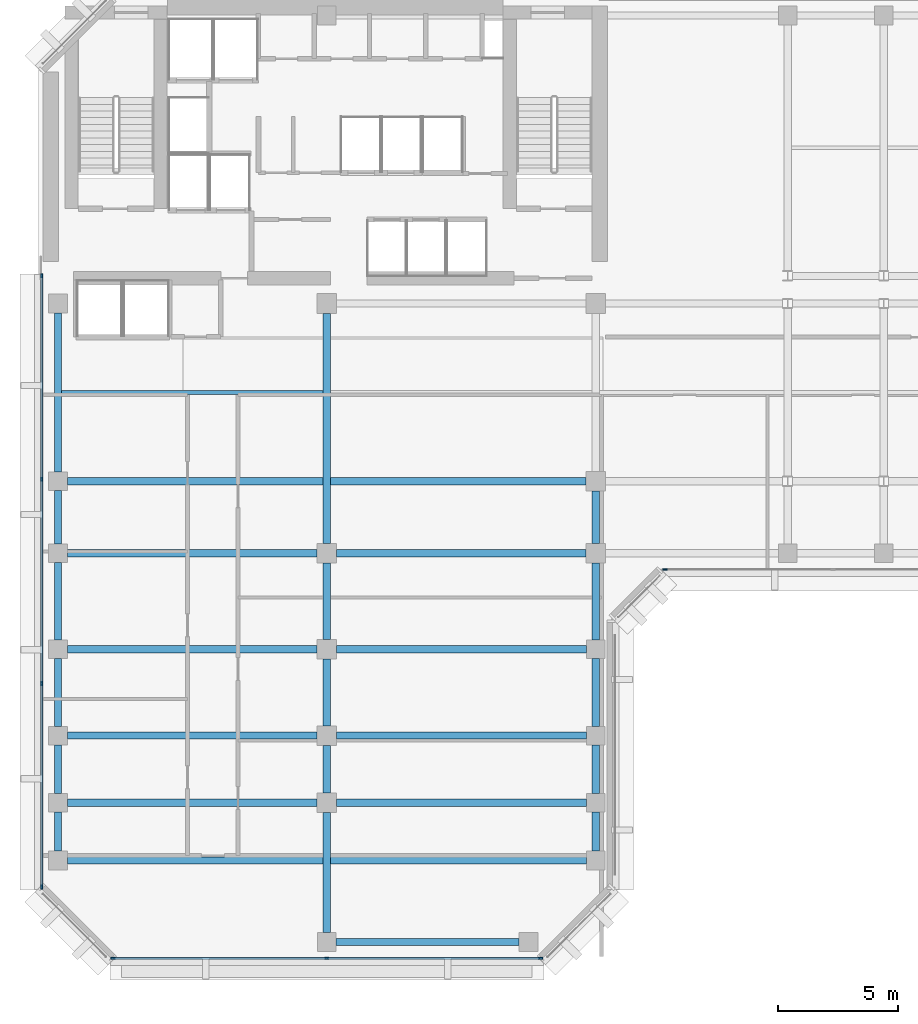
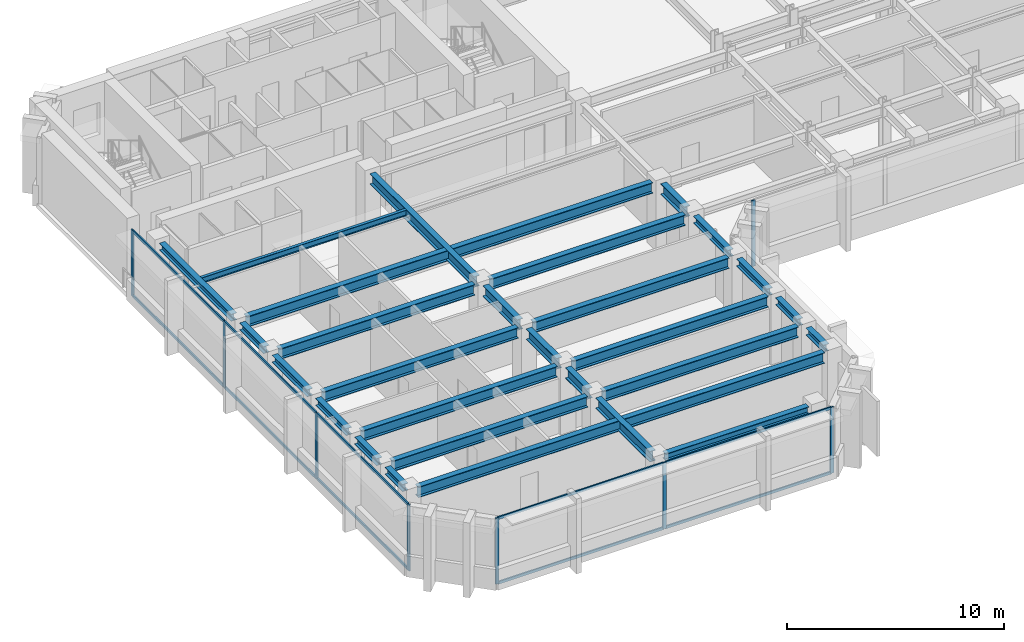
# One storey, part 2 of 12: 28 beams, 18 members, 3 elements without a shape of their own.
"""IFC4 building model written with IfcOpenShell, lengths in metres."""

import ifcopenshell
import ifcopenshell.guid

model = None  # the IFC model being written
_history = None  # IfcOwnerHistory: only IFC2X3 demands one
_inside = {}  # id of a spatial element -> (the spatial element, [elements in it])
_under = {}  # id of a project, library or spatial element -> (it, [spatial elements below it])
_declared = {}  # id of a project -> (the project, [libraries it declares])
_typed = {}  # id of a type object -> (the type object, [elements of that type])
_made_of = {}  # id of a material, layer set ... -> (it, [elements and type objects made of it])


def new_model(schema):
    """Start an empty IFC model of exactly this schema.

    Asked for "IFC4X3", IfcOpenShell would pick the latest addendum, in which some entities
    have other attributes; the version numbers below select the first issue.
    IFC2X3 requires an IfcOwnerHistory on every rooted entity: one is made here for all.
    """
    global model, _history
    if schema == "IFC4X3":
        model = ifcopenshell.file(schema_version=(4, 3, 0, 0))
    else:
        model = ifcopenshell.file(schema=schema)
    _inside.clear()
    _under.clear()
    _declared.clear()
    _typed.clear()
    _made_of.clear()
    _history = None
    if model.schema == "IFC2X3":
        org = make("IfcOrganization", Name="unknown")
        user = make(
            "IfcPersonAndOrganization",
            ThePerson=make("IfcPerson", FamilyName="unknown"),
            TheOrganization=org,
        )
        app = make(
            "IfcApplication",
            ApplicationDeveloper=org,
            Version="unknown",
            ApplicationFullName="unknown",
            ApplicationIdentifier="unknown",
        )
        _history = make(
            "IfcOwnerHistory",
            OwningUser=user,
            OwningApplication=app,
            ChangeAction="ADDED",
            CreationDate=0,
        )
    return model


def make(cls, **values):
    """One entity of the class cls with the attributes given. An attribute that is None is left unset."""
    return model.create_entity(
        cls, **{name: value for name, value in values.items() if value is not None}
    )


def rooted(cls, **values):
    """An entity with a GlobalId (a new one), such as an element, a storey or a relation."""
    return make(cls, GlobalId=ifcopenshell.guid.new(), OwnerHistory=_history, **values)


def si_unit(unit_type, name, prefix=None):
    """IfcSIUnit, for example si_unit("LENGTHUNIT", "METRE", prefix="MILLI")."""
    return make("IfcSIUnit", UnitType=unit_type, Prefix=prefix, Name=name)


def assignment(units):
    """IfcUnitAssignment: the units of a project."""
    return None if units is None else make("IfcUnitAssignment", Units=units)


def point(xyz):
    """IfcCartesianPoint."""
    return None if xyz is None else make("IfcCartesianPoint", Coordinates=xyz)


def direction(xyz):
    """IfcDirection."""
    return None if xyz is None else make("IfcDirection", DirectionRatios=xyz)


def frame(location, z_axis=None, x_axis=None):
    """IfcAxis2Placement3D, a coordinate frame: its origin and axes. An axis left out is left unset."""
    return make(
        "IfcAxis2Placement3D",
        Location=point(location),
        Axis=direction(z_axis),
        RefDirection=direction(x_axis),
    )


def frame_2d(location, x_axis=None):
    """IfcAxis2Placement2D, a coordinate frame in the plane: its origin and x axis."""
    return make(
        "IfcAxis2Placement2D", Location=point(location), RefDirection=direction(x_axis)
    )


def origin():
    """The frame at (0, 0, 0) with its axes left unset."""
    return frame((0.0, 0.0, 0.0))


def origin_2d():
    """The frame at (0, 0) in the plane with its x axis left unset."""
    return frame_2d((0.0, 0.0))


def place(relative_to, where):
    """IfcLocalPlacement: puts the frame where relative to a parent placement (None: the world)."""
    return make(
        "IfcLocalPlacement", PlacementRelTo=relative_to, RelativePlacement=where
    )


def context(
    kind, dimensions, precision=None, world=None, true_north=None, identifier=None
):
    """IfcGeometricRepresentationContext, for example the 3D "Model" context."""
    return make(
        "IfcGeometricRepresentationContext",
        ContextIdentifier=identifier,
        ContextType=kind,
        CoordinateSpaceDimension=dimensions,
        Precision=precision,
        WorldCoordinateSystem=world,
        TrueNorth=true_north,
    )


def subcontext(parent, identifier, kind, view, scale=None):
    """IfcGeometricRepresentationSubContext, for example "Body" below "Model"."""
    return make(
        "IfcGeometricRepresentationSubContext",
        ContextIdentifier=identifier,
        ContextType=kind,
        ParentContext=parent,
        TargetScale=scale,
        TargetView=view,
    )


def project(units=None, contexts=None):
    """IfcProject with its units and contexts."""
    return rooted(
        "IfcProject",
        Name="project",
        RepresentationContexts=contexts,
        UnitsInContext=assignment(units),
    )


def spatial(cls, under=None, at=None, **own):
    """A site, building, storey or space (cls), placed at a placement, below another one or the project."""
    s = rooted(cls, ObjectPlacement=at, **own)
    if under is not None:
        _under.setdefault(under.id(), (under, []))[1].append(s)
    return s


def profile(cls, at=None, kind="AREA", **sizes):
    """A parametric profile (cls). Its sizes go by their IFC names, for example OverallWidth=200.0."""
    return make(cls, ProfileType=kind, Position=at, **sizes)


def rectangle(**sizes):
    """IfcRectangleProfileDef."""
    return profile("IfcRectangleProfileDef", **sizes)


def i_section(**sizes):
    """IfcIShapeProfileDef."""
    return profile("IfcIShapeProfileDef", **sizes)


def extrude(swept, where, along, depth):
    """IfcExtrudedAreaSolid: the profile swept, set in the frame where, extruded along a direction by depth."""
    return make(
        "IfcExtrudedAreaSolid",
        SweptArea=swept,
        Position=where,
        ExtrudedDirection=direction(along),
        Depth=depth,
    )


def shape(context_of_items, identifier, shape_type, items):
    """IfcShapeRepresentation: the items that make up one representation, for example the "Body"."""
    return make(
        "IfcShapeRepresentation",
        ContextOfItems=context_of_items,
        RepresentationIdentifier=identifier,
        RepresentationType=shape_type,
        Items=items,
    )


def material(Name=None, Category=None):
    """IfcMaterial."""
    return make("IfcMaterial", Name=Name, Category=Category)


def layer(
    of_material, thickness, ventilated=None, Name=None, Category=None, Priority=None
):
    """IfcMaterialLayer: one layer of a wall or slab, of a material (None: an air gap)."""
    return make(
        "IfcMaterialLayer",
        Material=of_material,
        LayerThickness=thickness,
        IsVentilated=ventilated,
        Name=Name,
        Category=Category,
        Priority=Priority,
    )


def layer_set(layers, Name=None):
    """IfcMaterialLayerSet."""
    return make("IfcMaterialLayerSet", MaterialLayers=layers, LayerSetName=Name)


def material_profile(
    of_material, cross_section, Name=None, Category=None, Priority=None
):
    """IfcMaterialProfile: a cross section and its material."""
    return make(
        "IfcMaterialProfile",
        Name=Name,
        Material=of_material,
        Profile=cross_section,
        Priority=Priority,
        Category=Category,
    )


def profile_set(profiles, Name=None, composite=None):
    """IfcMaterialProfileSet."""
    return make(
        "IfcMaterialProfileSet",
        Name=Name,
        MaterialProfiles=profiles,
        CompositeProfile=composite,
    )


def made_of(thing, what):
    """Note that an element or type object is made of a material, layer set ...; save() writes the relation."""
    if what is not None:
        _made_of.setdefault(what.id(), (what, []))[1].append(thing)
    return thing


def type_object(cls, material=None, **own):
    """A type object (cls), such as IfcWallType, which elements share."""
    return made_of(rooted(cls, **own), material)


def element(
    cls,
    number,
    at=None,
    inside=None,
    cuts=None,
    type_object=None,
    material=None,
    context=None,
    identifier="Body",
    shape_type=None,
    held_by="IfcProductDefinitionShape",
    body=None,
    shapes=None,
    **own,
):
    """One element of the class cls, such as IfcWall. Its Tag is "e" and its number.

    at: its placement. inside: the storey or other place that contains it. cuts: it is an
    opening in that element (IfcRelVoidsElement). A single representation is given by context,
    identifier, shape_type and body (its items); several are given by shapes. held_by: the class
    of the entity that holds the representations. save() writes the other relations.
    """
    e = rooted(cls, Tag="e%d" % number, ObjectPlacement=at, **own)
    if body is not None:
        shapes = [shape(context, identifier, shape_type, body)]
    if shapes is not None:
        e.Representation = make(held_by, Representations=shapes)
    if inside is not None:
        _inside.setdefault(inside.id(), (inside, []))[1].append(e)
    if cuts is not None:
        rooted(
            "IfcRelVoidsElement", RelatingBuildingElement=cuts, RelatedOpeningElement=e
        )
    if type_object is not None:
        _typed.setdefault(type_object.id(), (type_object, []))[1].append(e)
    return made_of(e, material)


def aggregate(whole, parts):
    """IfcRelAggregates: a whole, such as a stair, and the parts it consists of."""
    return rooted("IfcRelAggregates", RelatingObject=whole, RelatedObjects=parts)


def save(model, path):
    """Write the relations noted so far, then the file.

    IfcRelAggregates (storeys below a building ...), IfcRelContainedInSpatialStructure (elements
    in a storey), IfcRelDefinesByType, IfcRelAssociatesMaterial and IfcRelDeclares: one each for
    every whole, place, type object, material and project.
    """
    for whole, parts in _under.values():
        aggregate(whole, parts)
    for where, things in _inside.values():
        rooted(
            "IfcRelContainedInSpatialStructure",
            RelatedElements=things,
            RelatingStructure=where,
        )
    for kind, things in _typed.values():
        rooted("IfcRelDefinesByType", RelatedObjects=things, RelatingType=kind)
    for what, things in _made_of.values():
        rooted("IfcRelAssociatesMaterial", RelatedObjects=things, RelatingMaterial=what)
    for by, libraries in _declared.values():
        rooted("IfcRelDeclares", RelatingContext=by, RelatedDefinitions=libraries)
    model.write(path)


model = new_model("IFC4")

# Units and contexts
model_context = context("Model", 3, precision=1e-05, world=origin(), true_north=direction((0.0, 1.0)))
body_context = subcontext(model_context, "Body", "Model", "MODEL_VIEW")
ifc_project = project(units=[si_unit("LENGTHUNIT", "METRE"), si_unit("AREAUNIT", "SQUARE_METRE"), si_unit("VOLUMEUNIT", "CUBIC_METRE"), si_unit("PLANEANGLEUNIT", "RADIAN"), si_unit("MASSUNIT", "GRAM", prefix="KILO")], contexts=[model_context])

# Site, building, storey
site_placement = place(None, origin())
site = spatial("IfcSite", under=ifc_project, at=site_placement, CompositionType="ELEMENT")
building_placement = place(site_placement, origin())
building = spatial("IfcBuilding", under=site, at=building_placement, Name="Kefirva Bronze Tower", CompositionType="ELEMENT")
storey_placement = place(building_placement, frame((0.0, 0.0, 195.360107421875)))
storey = spatial("IfcBuildingStorey", under=building, at=storey_placement, Name="L47", CompositionType="ELEMENT", Elevation=195.360107421875)

# Curtain wall, members
ifc_material_1 = material(Name="Bronze anodised aluminium", Category="aluminium")
ifc_layer = layer(ifc_material_1, 0.179931640625, Name="Bronze anodised aluminium")
ifc_layer_set = layer_set([ifc_layer], Name="Bronze anodised aluminium")
curtain_wall_type = type_object("IfcCurtainWallType", Name="Unitised Bronze Ribbon Curtain Wall Zone 3", PredefinedType="USERDEFINED", material=ifc_layer_set)
curtain_wall_1_placement = place(storey_placement, origin())
curtain_wall_1 = element("IfcCurtainWall", 1, at=curtain_wall_1_placement, inside=storey, type_object=curtain_wall_type, Name="L47 Curtain Wall 1", ObjectType="UNITISED CURTAIN WALL", PredefinedType="USERDEFINED")
ifc_material_profile_1 = material_profile(ifc_material_1, rectangle(XDim=0.074951171875, YDim=0.179931640625, at=origin_2d()), Name="ALU 75x180")
ifc_profile_set_1 = profile_set([ifc_material_profile_1], Name="Bronze anodised aluminium")
member_type_1 = type_object("IfcMemberType", Name="Bronze Mullion 75x180", PredefinedType="MULLION", material=ifc_profile_set_1)
member_1_placement = place(storey_placement, frame((3.092529296875, 5.919921875, 0.0), z_axis=(0.0, 0.0, 1.0), x_axis=(0.0, 1.0, 0.0)))
member_1 = element("IfcMember", 2, at=member_1_placement, type_object=member_type_1, Name="CW-03 mullion 1", PredefinedType="MULLION", context=body_context, shape_type="SweptSolid", body=[
    extrude(rectangle(XDim=0.074951171875, YDim=0.179931640625, at=origin_2d()), origin(), (0.0, 0.0, 1.0), 3.7099609375),
])
member_2_placement = place(storey_placement, frame((12.0, 5.919921875, 0.0), z_axis=(0.0, 0.0, 1.0), x_axis=(0.0, 1.0, 0.0)))
member_2 = element("IfcMember", 3, at=member_2_placement, type_object=member_type_1, Name="CW-03 mullion 2", PredefinedType="MULLION", context=body_context, shape_type="SweptSolid", body=[
    extrude(rectangle(XDim=0.074951171875, YDim=0.179931640625, at=origin_2d()), origin(), (0.0, 0.0, 1.0), 3.7099609375),
])
member_3_placement = place(storey_placement, frame((20.907470703125, 5.919921875, 0.0), z_axis=(0.0, 0.0, 1.0), x_axis=(0.0, 1.0, 0.0)))
member_3 = element("IfcMember", 4, at=member_3_placement, type_object=member_type_1, Name="CW-03 mullion 3", PredefinedType="MULLION", context=body_context, shape_type="SweptSolid", body=[
    extrude(rectangle(XDim=0.074951171875, YDim=0.179931640625, at=origin_2d()), origin(), (0.0, 0.0, 1.0), 3.7099609375),
])

# Curtain wall, member
curtain_wall_2_placement = place(storey_placement, origin())
curtain_wall_2 = element("IfcCurtainWall", 5, at=curtain_wall_2_placement, inside=storey, type_object=curtain_wall_type, Name="L47 Curtain Wall 2", ObjectType="UNITISED CURTAIN WALL", PredefinedType="USERDEFINED")
member_4_placement = place(storey_placement, frame((26.092529296875, 22.1201171875, 0.0), z_axis=(0.0, 0.0, 1.0), x_axis=(0.0, 1.0, 0.0)))
member_4 = element("IfcMember", 6, at=member_4_placement, type_object=member_type_1, Name="CW-03 mullion 1", PredefinedType="MULLION", context=body_context, shape_type="SweptSolid", body=[
    extrude(rectangle(XDim=0.074951171875, YDim=0.179931640625, at=origin_2d()), origin(), (0.0, 0.0, 1.0), 3.7099609375),
])
aggregate(curtain_wall_2, [member_4])

# Curtain wall, members
curtain_wall_3_placement = place(storey_placement, origin())
curtain_wall_3 = element("IfcCurtainWall", 7, at=curtain_wall_3_placement, inside=storey, type_object=curtain_wall_type, Name="L47 Curtain Wall 5", ObjectType="UNITISED CURTAIN WALL", PredefinedType="USERDEFINED")
member_5_placement = place(storey_placement, frame((0.1201171875, 34.357421875, 0.0), z_axis=(0.0, 0.0, 1.0), x_axis=(1.0, 0.0, 0.0)))
member_5 = element("IfcMember", 8, at=member_5_placement, type_object=member_type_1, Name="CW-03 mullion 1", PredefinedType="MULLION", context=body_context, shape_type="SweptSolid", body=[
    extrude(rectangle(XDim=0.074951171875, YDim=0.179931640625, at=origin_2d()), origin(), (0.0, 0.0, 1.0), 3.7099609375),
])
member_6_placement = place(storey_placement, frame((0.1201171875, 25.881591796875, 0.0), z_axis=(0.0, 0.0, 1.0), x_axis=(1.0, 0.0, 0.0)))
member_6 = element("IfcMember", 9, at=member_6_placement, type_object=member_type_1, Name="CW-03 mullion 2", PredefinedType="MULLION", context=body_context, shape_type="SweptSolid", body=[
    extrude(rectangle(XDim=0.074951171875, YDim=0.179931640625, at=origin_2d()), origin(), (0.0, 0.0, 1.0), 3.7099609375),
])
member_7_placement = place(storey_placement, frame((0.1201171875, 17.368408203125, 0.0), z_axis=(0.0, 0.0, 1.0), x_axis=(1.0, 0.0, 0.0)))
member_7 = element("IfcMember", 10, at=member_7_placement, type_object=member_type_1, Name="CW-03 mullion 3", PredefinedType="MULLION", context=body_context, shape_type="SweptSolid", body=[
    extrude(rectangle(XDim=0.074951171875, YDim=0.179931640625, at=origin_2d()), origin(), (0.0, 0.0, 1.0), 3.7099609375),
])
member_8_placement = place(storey_placement, frame((0.1201171875, 8.892578125, 0.0), z_axis=(0.0, 0.0, 1.0), x_axis=(1.0, 0.0, 0.0)))
member_8 = element("IfcMember", 11, at=member_8_placement, type_object=member_type_1, Name="CW-03 mullion 4", PredefinedType="MULLION", context=body_context, shape_type="SweptSolid", body=[
    extrude(rectangle(XDim=0.074951171875, YDim=0.179931640625, at=origin_2d()), origin(), (0.0, 0.0, 1.0), 3.7099609375),
])

# Member
ifc_material_profile_2 = material_profile(ifc_material_1, rectangle(XDim=0.074951171875, YDim=0.14990234375, at=origin_2d()), Name="ALU 75x150")
ifc_profile_set_2 = profile_set([ifc_material_profile_2], Name="Bronze anodised aluminium")
member_type_2 = type_object("IfcMemberType", Name="Bronze Transom 75x150", PredefinedType="USERDEFINED", material=ifc_profile_set_2)
member_9_placement = place(storey_placement, frame((3.1298828125, 5.919921875, 0.037353515625), z_axis=(1.0, 0.0, 0.0), x_axis=(0.0, 1.0, 0.0)))
member_9 = element("IfcMember", 12, at=member_9_placement, type_object=member_type_2, Name="CW-03 transom 1.1", ObjectType="TRANSOM", PredefinedType="USERDEFINED", context=body_context, shape_type="SweptSolid", body=[
    extrude(rectangle(XDim=0.074951171875, YDim=0.14990234375, at=origin_2d()), origin(), (0.0, 0.0, 1.0), 8.83251953125),
])

member_10_placement = place(storey_placement, frame((3.1298828125, 5.919921875, 3.67236328125), z_axis=(1.0, 0.0, 0.0), x_axis=(0.0, 1.0, 0.0)))
member_10 = element("IfcMember", 13, at=member_10_placement, type_object=member_type_2, Name="CW-03 transom 1.2", ObjectType="TRANSOM", PredefinedType="USERDEFINED", context=body_context, shape_type="SweptSolid", body=[
    extrude(rectangle(XDim=0.074951171875, YDim=0.14990234375, at=origin_2d()), origin(), (0.0, 0.0, 1.0), 8.83251953125),
])

member_11_placement = place(storey_placement, frame((12.03759765625, 5.919921875, 0.037353515625), z_axis=(1.0, 0.0, 0.0), x_axis=(0.0, 1.0, 0.0)))
member_11 = element("IfcMember", 14, at=member_11_placement, type_object=member_type_2, Name="CW-03 transom 2.1", ObjectType="TRANSOM", PredefinedType="USERDEFINED", context=body_context, shape_type="SweptSolid", body=[
    extrude(rectangle(XDim=0.074951171875, YDim=0.14990234375, at=origin_2d()), origin(), (0.0, 0.0, 1.0), 8.83251953125),
])

member_12_placement = place(storey_placement, frame((12.03759765625, 5.919921875, 3.67236328125), z_axis=(1.0, 0.0, 0.0), x_axis=(0.0, 1.0, 0.0)))
member_12 = element("IfcMember", 15, at=member_12_placement, type_object=member_type_2, Name="CW-03 transom 2.2", ObjectType="TRANSOM", PredefinedType="USERDEFINED", context=body_context, shape_type="SweptSolid", body=[
    extrude(rectangle(XDim=0.074951171875, YDim=0.14990234375, at=origin_2d()), origin(), (0.0, 0.0, 1.0), 8.83251953125),
])

aggregate(curtain_wall_1, [member_1, member_2, member_3, member_9, member_10, member_11, member_12])

member_13_placement = place(storey_placement, frame((0.1201171875, 34.320068359375, 0.037353515625), z_axis=(0.0, -1.0, 0.0), x_axis=(1.0, 0.0, 0.0)))
member_13 = element("IfcMember", 16, at=member_13_placement, type_object=member_type_2, Name="CW-03 transom 1.1", ObjectType="TRANSOM", PredefinedType="USERDEFINED", context=body_context, shape_type="SweptSolid", body=[
    extrude(rectangle(XDim=0.074951171875, YDim=0.14990234375, at=origin_2d()), origin(), (0.0, 0.0, 1.0), 8.40087890625),
])

member_14_placement = place(storey_placement, frame((0.1201171875, 34.320068359375, 3.67236328125), z_axis=(0.0, -1.0, 0.0), x_axis=(1.0, 0.0, 0.0)))
member_14 = element("IfcMember", 17, at=member_14_placement, type_object=member_type_2, Name="CW-03 transom 1.2", ObjectType="TRANSOM", PredefinedType="USERDEFINED", context=body_context, shape_type="SweptSolid", body=[
    extrude(rectangle(XDim=0.074951171875, YDim=0.14990234375, at=origin_2d()), origin(), (0.0, 0.0, 1.0), 8.40087890625),
])

member_15_placement = place(storey_placement, frame((0.1201171875, 25.84423828125, 0.037353515625), z_axis=(0.0, -1.0, 0.0), x_axis=(1.0, 0.0, 0.0)))
member_15 = element("IfcMember", 18, at=member_15_placement, type_object=member_type_2, Name="CW-03 transom 2.1", ObjectType="TRANSOM", PredefinedType="USERDEFINED", context=body_context, shape_type="SweptSolid", body=[
    extrude(rectangle(XDim=0.074951171875, YDim=0.14990234375, at=origin_2d()), origin(), (0.0, 0.0, 1.0), 8.4384765625),
])

member_16_placement = place(storey_placement, frame((0.1201171875, 25.84423828125, 3.67236328125), z_axis=(0.0, -1.0, 0.0), x_axis=(1.0, 0.0, 0.0)))
member_16 = element("IfcMember", 19, at=member_16_placement, type_object=member_type_2, Name="CW-03 transom 2.2", ObjectType="TRANSOM", PredefinedType="USERDEFINED", context=body_context, shape_type="SweptSolid", body=[
    extrude(rectangle(XDim=0.074951171875, YDim=0.14990234375, at=origin_2d()), origin(), (0.0, 0.0, 1.0), 8.4384765625),
])

member_17_placement = place(storey_placement, frame((0.1201171875, 17.330810546875, 0.037353515625), z_axis=(0.0, -1.0, 0.0), x_axis=(1.0, 0.0, 0.0)))
member_17 = element("IfcMember", 20, at=member_17_placement, type_object=member_type_2, Name="CW-03 transom 3.1", ObjectType="TRANSOM", PredefinedType="USERDEFINED", context=body_context, shape_type="SweptSolid", body=[
    extrude(rectangle(XDim=0.074951171875, YDim=0.14990234375, at=origin_2d()), origin(), (0.0, 0.0, 1.0), 8.40087890625),
])

member_18_placement = place(storey_placement, frame((0.1201171875, 17.330810546875, 3.67236328125), z_axis=(0.0, -1.0, 0.0), x_axis=(1.0, 0.0, 0.0)))
member_18 = element("IfcMember", 21, at=member_18_placement, type_object=member_type_2, Name="CW-03 transom 3.2", ObjectType="TRANSOM", PredefinedType="USERDEFINED", context=body_context, shape_type="SweptSolid", body=[
    extrude(rectangle(XDim=0.074951171875, YDim=0.14990234375, at=origin_2d()), origin(), (0.0, 0.0, 1.0), 8.40087890625),
])

aggregate(curtain_wall_3, [member_5, member_6, member_7, member_8, member_13, member_14, member_15, member_16, member_17, member_18])

# Beams
ifc_material_2 = material(Name="Steel S355", Category="steel")
ifc_material_profile_3 = material_profile(ifc_material_2, i_section(OverallWidth=0.159912109375, OverallDepth=0.330078125, WebThickness=0.007568359375, FlangeThickness=0.011474609375, at=origin_2d()), Name="IPE 330")
ifc_profile_set_3 = profile_set([ifc_material_profile_3], Name="Steel S355")
beam_type_1 = type_object("IfcBeamType", Name="Steel Floor Joist IPE 330", PredefinedType="JOIST", material=ifc_profile_set_3)
beam_1_placement = place(storey_placement, frame((0.949951171875, 29.489990234375, 3.544921875), z_axis=(1.0, 0.0, 0.0), x_axis=(0.0, 1.0, 0.0)))
element("IfcBeam", 22, at=beam_1_placement, inside=storey, type_object=beam_type_1, Name="L47 JST-L47-0-294", PredefinedType="JOIST", context=body_context, shape_type="SweptSolid", body=[
    extrude(i_section(OverallWidth=0.159912109375, OverallDepth=0.330078125, WebThickness=0.007568359375, FlangeThickness=0.011474609375, at=origin_2d()), origin(), (0.0, 0.0, 1.0), 10.900146484375),
])
ifc_material_profile_4 = material_profile(ifc_material_2, i_section(OverallWidth=0.300048828125, OverallDepth=0.60009765625, WebThickness=0.015380859375, FlangeThickness=0.030029296875, at=origin_2d()), Name="HEB 600")
ifc_profile_set_4 = profile_set([ifc_material_profile_4], Name="Steel S355")
beam_type_2 = type_object("IfcBeamType", Name="Steel Girder HEB 600", PredefinedType="USERDEFINED", material=ifc_profile_set_4)
beam_2_placement = place(storey_placement, frame((1.18994140625, 10.0, 3.409912109375), z_axis=(1.0, 0.0, 0.0), x_axis=(0.0, 1.0, 0.0)))
element("IfcBeam", 23, at=beam_2_placement, inside=storey, type_object=beam_type_2, Name="L47 BM-L47-EW-0-100", ObjectType="GIRDER", PredefinedType="USERDEFINED", context=body_context, shape_type="SweptSolid", body=[
    extrude(i_section(OverallWidth=0.300048828125, OverallDepth=0.60009765625, WebThickness=0.015380859375, FlangeThickness=0.030029296875, at=origin_2d()), origin(), (0.0, 0.0, 1.0), 21.6201171875),
])
for number, where, z_axis, x_axis, name in (
    (24, (1.18994140625, 12.39990234375, 3.409912109375), (1.0, 0.0, 0.0), (0.0, 1.0, 0.0), "L47 BM-L47-EW-0-124"),
    (25, (12.409912109375, 12.39990234375, 3.409912109375), (1.0, 0.0, 0.0), (0.0, 1.0, 0.0), "L47 BM-L47-EW-12-124"),
    (26, (1.18994140625, 15.199951171875, 3.409912109375), (1.0, 0.0, 0.0), (0.0, 1.0, 0.0), "L47 BM-L47-EW-0-152"),
    (27, (12.409912109375, 15.199951171875, 3.409912109375), (1.0, 0.0, 0.0), (0.0, 1.0, 0.0), "L47 BM-L47-EW-12-152"),
    (28, (1.18994140625, 18.800048828125, 3.409912109375), (1.0, 0.0, 0.0), (0.0, 1.0, 0.0), "L47 BM-L47-EW-0-188"),
    (29, (12.409912109375, 18.800048828125, 3.409912109375), (1.0, 0.0, 0.0), (0.0, 1.0, 0.0), "L47 BM-L47-EW-12-188"),
    (30, (1.18994140625, 22.800048828125, 3.409912109375), (1.0, 0.0, 0.0), (0.0, 1.0, 0.0), "L47 BM-L47-EW-0-228"),
):
    element("IfcBeam", number, at=place(storey_placement, frame(where, z_axis=z_axis, x_axis=x_axis)), inside=storey, type_object=beam_type_2, Name=name, ObjectType="GIRDER", PredefinedType="USERDEFINED", context=body_context, shape_type="SweptSolid", body=[
        extrude(i_section(OverallWidth=0.300048828125, OverallDepth=0.60009765625, WebThickness=0.015380859375, FlangeThickness=0.030029296875, at=origin_2d()), origin(), (0.0, 0.0, 1.0), 10.400146484375),
    ])
beam_3_placement = place(storey_placement, frame((12.409912109375, 22.800048828125, 3.409912109375), z_axis=(1.0, 0.0, 0.0), x_axis=(0.0, 1.0, 0.0)))
element("IfcBeam", 31, at=beam_3_placement, inside=storey, type_object=beam_type_2, Name="L47 BM-L47-EW-12-228", ObjectType="GIRDER", PredefinedType="USERDEFINED", context=body_context, shape_type="SweptSolid", body=[
    extrude(i_section(OverallWidth=0.300048828125, OverallDepth=0.60009765625, WebThickness=0.015380859375, FlangeThickness=0.030029296875, at=origin_2d()), origin(), (0.0, 0.0, 1.0), 10.380126953125),
])
beam_4_placement = place(storey_placement, frame((1.18994140625, 25.800048828125, 3.409912109375), z_axis=(1.0, 0.0, 0.0), x_axis=(0.0, 1.0, 0.0)))
element("IfcBeam", 32, at=beam_4_placement, inside=storey, type_object=beam_type_2, Name="L47 BM-L47-EW-0-258", ObjectType="GIRDER", PredefinedType="USERDEFINED", context=body_context, shape_type="SweptSolid", body=[
    extrude(i_section(OverallWidth=0.300048828125, OverallDepth=0.60009765625, WebThickness=0.015380859375, FlangeThickness=0.030029296875, at=origin_2d()), origin(), (0.0, 0.0, 1.0), 21.60009765625),
])
beam_5_placement = place(storey_placement, frame((12.0, 6.989990234375, 3.409912109375), z_axis=(0.0, 1.0, 0.0), x_axis=(-1.0, 0.0, 0.0)))
element("IfcBeam", 33, at=beam_5_placement, inside=storey, type_object=beam_type_2, Name="L47 BM-L47-NS-120-6", ObjectType="GIRDER", PredefinedType="USERDEFINED", context=body_context, shape_type="SweptSolid", body=[
    extrude(i_section(OverallWidth=0.300048828125, OverallDepth=0.60009765625, WebThickness=0.015380859375, FlangeThickness=0.030029296875, at=origin_2d()), origin(), (0.0, 0.0, 1.0), 5.0),
])
beam_6_placement = place(storey_placement, frame((12.0, 12.81005859375, 3.409912109375), z_axis=(0.0, 1.0, 0.0), x_axis=(-1.0, 0.0, 0.0)))
element("IfcBeam", 34, at=beam_6_placement, inside=storey, type_object=beam_type_2, Name="L47 BM-L47-NS-120-12", ObjectType="GIRDER", PredefinedType="USERDEFINED", context=body_context, shape_type="SweptSolid", body=[
    extrude(i_section(OverallWidth=0.300048828125, OverallDepth=0.60009765625, WebThickness=0.015380859375, FlangeThickness=0.030029296875, at=origin_2d()), origin(), (0.0, 0.0, 1.0), 1.97998046875),
])
beam_7_placement = place(storey_placement, frame((12.0, 15.610107421875, 3.409912109375), z_axis=(0.0, 1.0, 0.0), x_axis=(-1.0, 0.0, 0.0)))
element("IfcBeam", 35, at=beam_7_placement, inside=storey, type_object=beam_type_2, Name="L47 BM-L47-NS-120-15", ObjectType="GIRDER", PredefinedType="USERDEFINED", context=body_context, shape_type="SweptSolid", body=[
    extrude(i_section(OverallWidth=0.300048828125, OverallDepth=0.60009765625, WebThickness=0.015380859375, FlangeThickness=0.030029296875, at=origin_2d()), origin(), (0.0, 0.0, 1.0), 2.77978515625),
])
beam_8_placement = place(storey_placement, frame((12.0, 19.2099609375, 3.409912109375), z_axis=(0.0, 1.0, 0.0), x_axis=(-1.0, 0.0, 0.0)))
element("IfcBeam", 36, at=beam_8_placement, inside=storey, type_object=beam_type_2, Name="L47 BM-L47-NS-120-18", ObjectType="GIRDER", PredefinedType="USERDEFINED", context=body_context, shape_type="SweptSolid", body=[
    extrude(i_section(OverallWidth=0.300048828125, OverallDepth=0.60009765625, WebThickness=0.015380859375, FlangeThickness=0.030029296875, at=origin_2d()), origin(), (0.0, 0.0, 1.0), 3.179931640625),
])
beam_9_placement = place(storey_placement, frame((12.0, 23.2099609375, 3.409912109375), z_axis=(0.0, 1.0, 0.0), x_axis=(-1.0, 0.0, 0.0)))
element("IfcBeam", 37, at=beam_9_placement, inside=storey, type_object=beam_type_2, Name="L47 BM-L47-NS-120-22", ObjectType="GIRDER", PredefinedType="USERDEFINED", context=body_context, shape_type="SweptSolid", body=[
    extrude(i_section(OverallWidth=0.300048828125, OverallDepth=0.60009765625, WebThickness=0.015380859375, FlangeThickness=0.030029296875, at=origin_2d()), origin(), (0.0, 0.0, 1.0), 9.580078125),
])
beam_10_placement = place(storey_placement, frame((23.199951171875, 23.2099609375, 3.409912109375), z_axis=(0.0, 1.0, 0.0), x_axis=(-1.0, 0.0, 0.0)))
element("IfcBeam", 38, at=beam_10_placement, inside=storey, type_object=beam_type_2, Name="L47 BM-L47-NS-232-22", ObjectType="GIRDER", PredefinedType="USERDEFINED", context=body_context, shape_type="SweptSolid", body=[
    extrude(i_section(OverallWidth=0.300048828125, OverallDepth=0.60009765625, WebThickness=0.015380859375, FlangeThickness=0.030029296875, at=origin_2d()), origin(), (0.0, 0.0, 1.0), 2.179931640625),
])
ifc_material_profile_5 = material_profile(ifc_material_2, i_section(OverallWidth=0.300048828125, OverallDepth=0.39990234375, WebThickness=0.013427734375, FlangeThickness=0.02392578125, at=origin_2d()), Name="HEB 400")
ifc_profile_set_5 = profile_set([ifc_material_profile_5], Name="Steel S355")
beam_type_3 = type_object("IfcBeamType", Name="Steel Spandrel HEB 400 Ext", PredefinedType="SPANDREL", material=ifc_profile_set_5)
beam_11_placement = place(storey_placement, frame((12.389892578125, 6.60009765625, 3.510009765625), z_axis=(1.0, 0.0, 0.0), x_axis=(0.0, 1.0, 0.0)))
element("IfcBeam", 39, at=beam_11_placement, inside=storey, type_object=beam_type_3, Name="L47 BM-L47-EW-12-66", PredefinedType="SPANDREL", context=body_context, shape_type="SweptSolid", body=[
    extrude(i_section(OverallWidth=0.300048828125, OverallDepth=0.39990234375, WebThickness=0.013427734375, FlangeThickness=0.02392578125, at=origin_2d()), origin(), (0.0, 0.0, 1.0), 7.6201171875),
])
beam_12_placement = place(storey_placement, frame((0.800048828125, 10.389892578125, 3.510009765625), z_axis=(0.0, 1.0, 0.0), x_axis=(-1.0, 0.0, 0.0)))
element("IfcBeam", 40, at=beam_12_placement, inside=storey, type_object=beam_type_3, Name="L47 BM-L47-NS-8-10", PredefinedType="SPANDREL", context=body_context, shape_type="SweptSolid", body=[
    extrude(i_section(OverallWidth=0.300048828125, OverallDepth=0.39990234375, WebThickness=0.013427734375, FlangeThickness=0.02392578125, at=origin_2d()), origin(), (0.0, 0.0, 1.0), 1.6201171875),
])
beam_13_placement = place(storey_placement, frame((0.800048828125, 12.7900390625, 3.510009765625), z_axis=(0.0, 1.0, 0.0), x_axis=(-1.0, 0.0, 0.0)))
element("IfcBeam", 41, at=beam_13_placement, inside=storey, type_object=beam_type_3, Name="L47 BM-L47-NS-8-12", PredefinedType="SPANDREL", context=body_context, shape_type="SweptSolid", body=[
    extrude(i_section(OverallWidth=0.300048828125, OverallDepth=0.39990234375, WebThickness=0.013427734375, FlangeThickness=0.02392578125, at=origin_2d()), origin(), (0.0, 0.0, 1.0), 2.02001953125),
])
beam_14_placement = place(storey_placement, frame((0.800048828125, 15.590087890625, 3.510009765625), z_axis=(0.0, 1.0, 0.0), x_axis=(-1.0, 0.0, 0.0)))
element("IfcBeam", 42, at=beam_14_placement, inside=storey, type_object=beam_type_3, Name="L47 BM-L47-NS-8-15", PredefinedType="SPANDREL", context=body_context, shape_type="SweptSolid", body=[
    extrude(i_section(OverallWidth=0.300048828125, OverallDepth=0.39990234375, WebThickness=0.013427734375, FlangeThickness=0.02392578125, at=origin_2d()), origin(), (0.0, 0.0, 1.0), 2.81982421875),
])
beam_15_placement = place(storey_placement, frame((0.800048828125, 19.18994140625, 3.510009765625), z_axis=(0.0, 1.0, 0.0), x_axis=(-1.0, 0.0, 0.0)))
element("IfcBeam", 43, at=beam_15_placement, inside=storey, type_object=beam_type_3, Name="L47 BM-L47-NS-8-18", PredefinedType="SPANDREL", context=body_context, shape_type="SweptSolid", body=[
    extrude(i_section(OverallWidth=0.300048828125, OverallDepth=0.39990234375, WebThickness=0.013427734375, FlangeThickness=0.02392578125, at=origin_2d()), origin(), (0.0, 0.0, 1.0), 3.219970703125),
])
beam_16_placement = place(storey_placement, frame((0.800048828125, 23.18994140625, 3.510009765625), z_axis=(0.0, 1.0, 0.0), x_axis=(-1.0, 0.0, 0.0)))
element("IfcBeam", 44, at=beam_16_placement, inside=storey, type_object=beam_type_3, Name="L47 BM-L47-NS-8-22", PredefinedType="SPANDREL", context=body_context, shape_type="SweptSolid", body=[
    extrude(i_section(OverallWidth=0.300048828125, OverallDepth=0.39990234375, WebThickness=0.013427734375, FlangeThickness=0.02392578125, at=origin_2d()), origin(), (0.0, 0.0, 1.0), 2.219970703125),
])
beam_17_placement = place(storey_placement, frame((0.800048828125, 26.18994140625, 3.510009765625), z_axis=(0.0, 1.0, 0.0), x_axis=(-1.0, 0.0, 0.0)))
element("IfcBeam", 45, at=beam_17_placement, inside=storey, type_object=beam_type_3, Name="L47 BM-L47-NS-8-25", PredefinedType="SPANDREL", context=body_context, shape_type="SweptSolid", body=[
    extrude(i_section(OverallWidth=0.300048828125, OverallDepth=0.39990234375, WebThickness=0.013427734375, FlangeThickness=0.02392578125, at=origin_2d()), origin(), (0.0, 0.0, 1.0), 6.6201171875),
])
beam_18_placement = place(storey_placement, frame((23.199951171875, 10.389892578125, 3.510009765625), z_axis=(0.0, 1.0, 0.0), x_axis=(-1.0, 0.0, 0.0)))
element("IfcBeam", 46, at=beam_18_placement, inside=storey, type_object=beam_type_3, Name="L47 BM-L47-NS-232-10", PredefinedType="SPANDREL", context=body_context, shape_type="SweptSolid", body=[
    extrude(i_section(OverallWidth=0.300048828125, OverallDepth=0.39990234375, WebThickness=0.013427734375, FlangeThickness=0.02392578125, at=origin_2d()), origin(), (0.0, 0.0, 1.0), 1.6201171875),
])
beam_19_placement = place(storey_placement, frame((23.199951171875, 12.7900390625, 3.510009765625), z_axis=(0.0, 1.0, 0.0), x_axis=(-1.0, 0.0, 0.0)))
element("IfcBeam", 47, at=beam_19_placement, inside=storey, type_object=beam_type_3, Name="L47 BM-L47-NS-232-12", PredefinedType="SPANDREL", context=body_context, shape_type="SweptSolid", body=[
    extrude(i_section(OverallWidth=0.300048828125, OverallDepth=0.39990234375, WebThickness=0.013427734375, FlangeThickness=0.02392578125, at=origin_2d()), origin(), (0.0, 0.0, 1.0), 2.02001953125),
])
beam_20_placement = place(storey_placement, frame((23.199951171875, 15.590087890625, 3.510009765625), z_axis=(0.0, 1.0, 0.0), x_axis=(-1.0, 0.0, 0.0)))
element("IfcBeam", 48, at=beam_20_placement, inside=storey, type_object=beam_type_3, Name="L47 BM-L47-NS-232-15", PredefinedType="SPANDREL", context=body_context, shape_type="SweptSolid", body=[
    extrude(i_section(OverallWidth=0.300048828125, OverallDepth=0.39990234375, WebThickness=0.013427734375, FlangeThickness=0.02392578125, at=origin_2d()), origin(), (0.0, 0.0, 1.0), 2.81982421875),
])
beam_21_placement = place(storey_placement, frame((23.199951171875, 19.18994140625, 3.510009765625), z_axis=(0.0, 1.0, 0.0), x_axis=(-1.0, 0.0, 0.0)))
element("IfcBeam", 49, at=beam_21_placement, inside=storey, type_object=beam_type_3, Name="L47 BM-L47-NS-232-18", PredefinedType="SPANDREL", context=body_context, shape_type="SweptSolid", body=[
    extrude(i_section(OverallWidth=0.300048828125, OverallDepth=0.39990234375, WebThickness=0.013427734375, FlangeThickness=0.02392578125, at=origin_2d()), origin(), (0.0, 0.0, 1.0), 3.199951171875),
])

save(model, "model.ifc")
